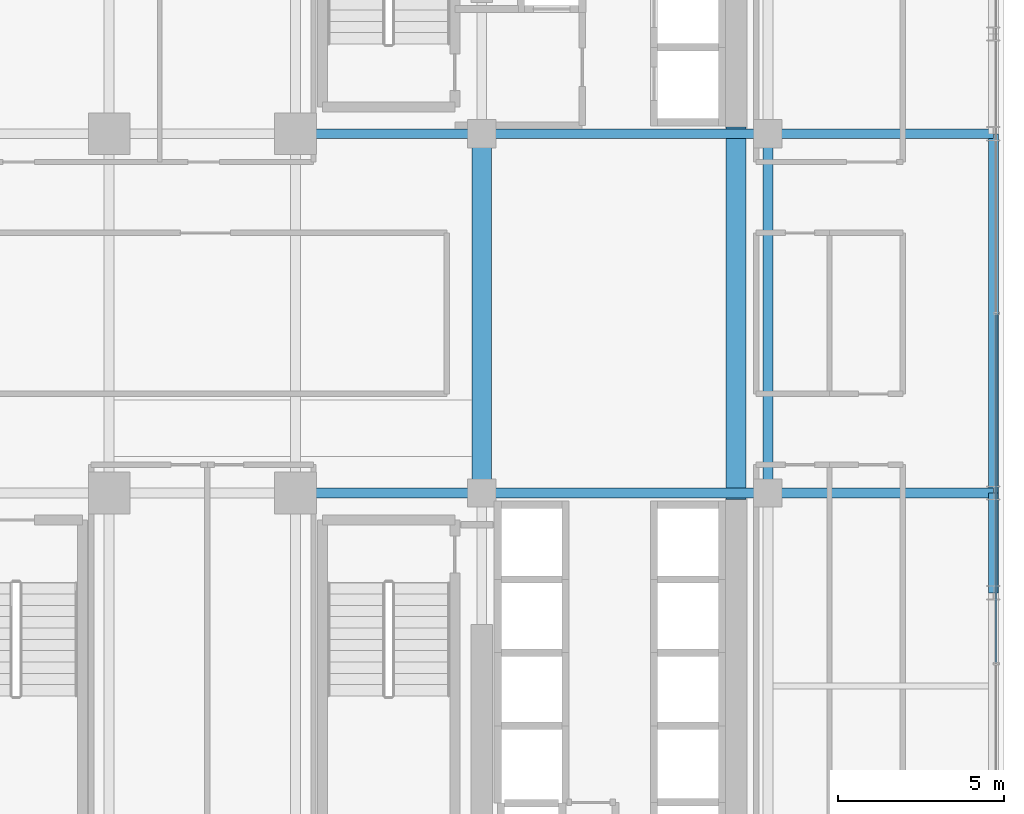
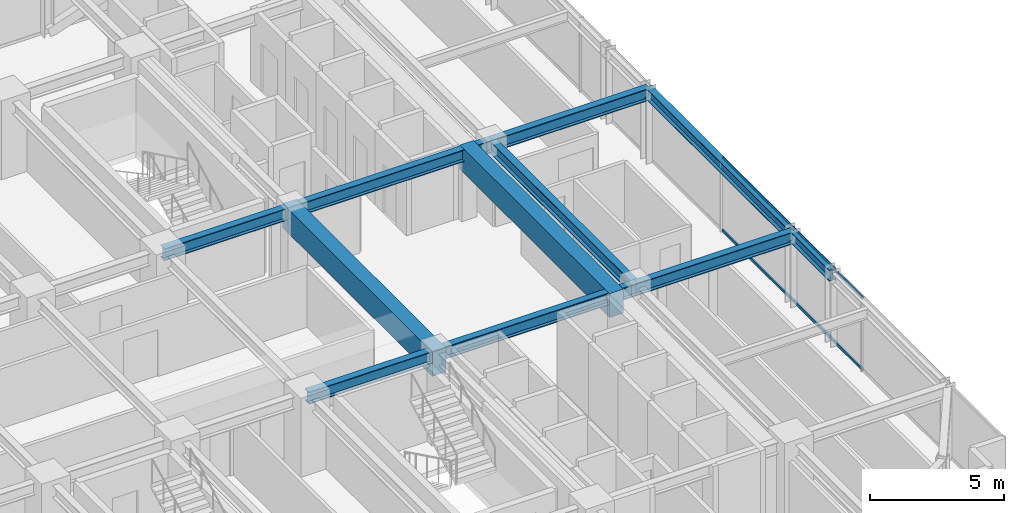
# One storey, part 14 of 39: 11 beams, 2 members, 1 element without a shape of its own.
"""IFC4 building model written with IfcOpenShell, lengths in metres."""

from ifc_helpers import new_model, si_unit, direction, frame, origin, origin_2d, place, context, subcontext, project, spatial, rectangle, hollow_rectangle, i_section, extrude, source, transform, mapped, material, material_profile, profile_set, type_object, element, aggregate, save


model = new_model("IFC4")

# Units and contexts
model_context = context("Model", 3, precision=1e-05, world=origin(), true_north=direction((0.0, 1.0)))
body_context = subcontext(model_context, "Body", "Model", "MODEL_VIEW")
ifc_project = project(units=[si_unit("LENGTHUNIT", "METRE"), si_unit("AREAUNIT", "SQUARE_METRE"), si_unit("VOLUMEUNIT", "CUBIC_METRE"), si_unit("PLANEANGLEUNIT", "RADIAN"), si_unit("MASSUNIT", "GRAM", prefix="KILO")], contexts=[model_context])

# Site, building, storey
site_placement = place(None, origin())
site = spatial("IfcSite", under=ifc_project, at=site_placement, CompositionType="ELEMENT")
building_placement = place(site_placement, origin())
building = spatial("IfcBuilding", under=site, at=building_placement, Name="Nahalor Promenade Grand Hotel", CompositionType="ELEMENT")
storey_placement = place(building_placement, frame((0.0, 0.0, 135.75)))
storey = spatial("IfcBuildingStorey", under=building, at=storey_placement, Name="L34", CompositionType="ELEMENT", Elevation=135.75)

# Beams
ifc_material_1 = material(Name="Concrete B-60 (C50/60)", Category="concrete")
ifc_material_profile_1 = material_profile(ifc_material_1, rectangle(XDim=0.6, YDim=1.1, at=origin_2d()), Name="RC 600x1100")
ifc_profile_set_1 = profile_set([ifc_material_profile_1], Name="Concrete B-60 (C50/60)")
beam_type_1 = type_object("IfcBeamType", Name="Beam-Lintel-RC1100", PredefinedType="LINTEL", material=ifc_profile_set_1)
shared_shape_1 = source(origin(), body_context, "Body", "SweptSolid", [
    extrude(rectangle(XDim=0.6, YDim=1.1, at=origin_2d()), origin(), (0.0, 0.0, 1.0), 11.2001953125),
])
for number, where, z_axis, x_axis, name in (
    (1, (8.39990234375, -5.60009765625, 2.830078125), (0.0, 1.0, 0.0), (-1.0, 0.0, 0.0), "BM-L34-LINT-W"),
    (2, (16.050048828125, -5.60009765625, 2.830078125), (0.0, 1.0, 0.0), (-1.0, 0.0, 0.0), "BM-L34-LINT-E"),
):
    element("IfcBeam", number, at=place(storey_placement, frame(where, z_axis=z_axis, x_axis=x_axis)), inside=storey, type_object=beam_type_1, Name=name, PredefinedType="LINTEL", context=body_context, shape_type="MappedRepresentation", body=[
        mapped(shared_shape_1, transform((0.0, 0.0, 0.0), scale=1.0)),
    ])
ifc_material_2 = material(Name="Steel S355JR", Category="steel")
ifc_material_profile_2 = material_profile(ifc_material_2, i_section(OverallWidth=0.3, OverallDepth=0.5, WebThickness=0.0145, FlangeThickness=0.028, at=origin_2d()), Name="HEB 500")
ifc_profile_set_2 = profile_set([ifc_material_profile_2], Name="Steel S355JR")
beam_type_2 = type_object("IfcBeamType", Name="Beam-Spandrel-HEB500", PredefinedType="SPANDREL", material=ifc_profile_set_2)
shared_shape_2 = source(origin(), body_context, "Body", "SweptSolid", [
    extrude(i_section(OverallWidth=0.3, OverallDepth=0.5, WebThickness=0.0145, FlangeThickness=0.028, at=origin_2d()), origin(), (0.0, 0.0, 1.0), 3.0),
])
beam_1_placement = place(storey_placement, frame((23.780029296875, -8.39990234375, 3.1298828125), z_axis=(0.0, 1.0, 0.0), x_axis=(-1.0, 0.0, 0.0)))
element("IfcBeam", 3, at=beam_1_placement, inside=storey, type_object=beam_type_2, Name="BM-L34-SP-E-1", PredefinedType="SPANDREL", context=body_context, shape_type="MappedRepresentation", body=[
    mapped(shared_shape_2, transform((0.0, 0.0, 0.0), scale=1.0)),
])
shared_shape_3 = source(origin(), body_context, "Body", "SweptSolid", [
    extrude(i_section(OverallWidth=0.3, OverallDepth=0.5, WebThickness=0.0145, FlangeThickness=0.028, at=origin_2d()), origin(), (0.0, 0.0, 1.0), 10.7998046875),
])
beam_2_placement = place(storey_placement, frame((23.780029296875, -5.39990234375, 3.1298828125), z_axis=(0.0, 1.0, 0.0), x_axis=(-1.0, 0.0, 0.0)))
element("IfcBeam", 4, at=beam_2_placement, inside=storey, type_object=beam_type_2, Name="BM-L34-SP-E-2", PredefinedType="SPANDREL", context=body_context, shape_type="MappedRepresentation", body=[
    mapped(shared_shape_3, transform((0.0, 0.0, 0.0), scale=1.0)),
])
ifc_material_profile_3 = material_profile(ifc_material_2, i_section(OverallWidth=0.3, OverallDepth=0.55, WebThickness=0.015, FlangeThickness=0.029, at=origin_2d()), Name="HEB 550")
ifc_profile_set_3 = profile_set([ifc_material_profile_3], Name="Steel S355JR")
beam_type_3 = type_object("IfcBeamType", Name="Beam-Girder-HEB550", PredefinedType="BEAM", material=ifc_profile_set_3)
shared_shape_4 = source(origin(), body_context, "Body", "SweptSolid", [
    extrude(i_section(OverallWidth=0.3, OverallDepth=0.55, WebThickness=0.015, FlangeThickness=0.029, at=origin_2d()), origin(), (0.0, 0.0, 1.0), 6.780029296875),
])
for number, where, z_axis, x_axis, name in (
    (5, (17.0, -5.39990234375, 3.10498046875), (1.0, 0.0, 0.0), (0.0, 1.0, 0.0), "BM-L34-GX-1-6"),
    (6, (17.0, 5.39990234375, 3.10498046875), (1.0, 0.0, 0.0), (0.0, 1.0, 0.0), "BM-L34-GX-2-6"),
):
    element("IfcBeam", number, at=place(storey_placement, frame(where, z_axis=z_axis, x_axis=x_axis)), inside=storey, type_object=beam_type_3, Name=name, PredefinedType="BEAM", context=body_context, shape_type="MappedRepresentation", body=[
        mapped(shared_shape_4, transform((0.0, 0.0, 0.0), scale=1.0)),
    ])
shared_shape_5 = source(origin(), body_context, "Body", "SweptSolid", [
    extrude(i_section(OverallWidth=0.3, OverallDepth=0.55, WebThickness=0.015, FlangeThickness=0.029, at=origin_2d()), origin(), (0.0, 0.0, 1.0), 8.60009765625),
])
for number, where, z_axis, x_axis, name in (
    (7, (8.39990234375, -5.39990234375, 3.10498046875), (1.0, 0.0, 0.0), (0.0, 1.0, 0.0), "BM-L34-GX-1-5"),
    (8, (8.39990234375, 5.39990234375, 3.10498046875), (1.0, 0.0, 0.0), (0.0, 1.0, 0.0), "BM-L34-GX-2-5"),
):
    element("IfcBeam", number, at=place(storey_placement, frame(where, z_axis=z_axis, x_axis=x_axis)), inside=storey, type_object=beam_type_3, Name=name, PredefinedType="BEAM", context=body_context, shape_type="MappedRepresentation", body=[
        mapped(shared_shape_5, transform((0.0, 0.0, 0.0), scale=1.0)),
    ])
shared_shape_6 = source(origin(), body_context, "Body", "SweptSolid", [
    extrude(i_section(OverallWidth=0.3, OverallDepth=0.55, WebThickness=0.015, FlangeThickness=0.029, at=origin_2d()), origin(), (0.0, 0.0, 1.0), 5.599853515625),
])
for number, where, z_axis, x_axis, name in (
    (9, (2.800048828125, -5.39990234375, 3.10498046875), (1.0, 0.0, 0.0), (0.0, 1.0, 0.0), "BM-L34-GX-1-4"),
    (10, (2.800048828125, 5.39990234375, 3.10498046875), (1.0, 0.0, 0.0), (0.0, 1.0, 0.0), "BM-L34-GX-2-4"),
):
    element("IfcBeam", number, at=place(storey_placement, frame(where, z_axis=z_axis, x_axis=x_axis)), inside=storey, type_object=beam_type_3, Name=name, PredefinedType="BEAM", context=body_context, shape_type="MappedRepresentation", body=[
        mapped(shared_shape_6, transform((0.0, 0.0, 0.0), scale=1.0)),
    ])
shared_shape_7 = source(origin(), body_context, "Body", "SweptSolid", [
    extrude(i_section(OverallWidth=0.3, OverallDepth=0.55, WebThickness=0.015, FlangeThickness=0.029, at=origin_2d()), origin(), (0.0, 0.0, 1.0), 10.7998046875),
])
beam_3_placement = place(storey_placement, frame((17.0, -5.39990234375, 3.10498046875), z_axis=(0.0, 1.0, 0.0), x_axis=(-1.0, 0.0, 0.0)))
element("IfcBeam", 11, at=beam_3_placement, inside=storey, type_object=beam_type_3, Name="BM-L34-GY-5-2", PredefinedType="BEAM", context=body_context, shape_type="MappedRepresentation", body=[
    mapped(shared_shape_7, transform((0.0, 0.0, 0.0), scale=1.0)),
])

# Curtain wall, members
ifc_material_3 = material(Name="Anodised Bronze Aluminium EN AW-6063 T6", Category="aluminium")
curtain_wall_type = type_object("IfcCurtainWallType", Name="CW2 Typical Hotel Flush Bronze Unitised Curtain Wall", PredefinedType="USERDEFINED", material=ifc_material_3)
curtain_wall_placement = place(storey_placement, origin())
curtain_wall = element("IfcCurtainWall", 12, at=curtain_wall_placement, inside=storey, type_object=curtain_wall_type, Name="L34 Curtain Wall CW-L34-E-1", ObjectType="UNITISED_CURTAIN_WALL", PredefinedType="USERDEFINED")
ifc_material_profile_4 = material_profile(ifc_material_3, hollow_rectangle(XDim=0.065, YDim=0.13, WallThickness=0.004, at=origin_2d()), Name="CWT 65x130x4")
ifc_profile_set_4 = profile_set([ifc_material_profile_4], Name="Anodised Bronze Aluminium EN AW-6063 T6")
member_type = type_object("IfcMemberType", Name="CWT2 Typical Bronze Transom 65x130", PredefinedType="USERDEFINED", material=ifc_profile_set_4)
shared_shape_8 = source(origin(), body_context, "Body", "SweptSolid", [
    extrude(hollow_rectangle(XDim=0.065, YDim=0.13, WallThickness=0.004, at=origin_2d()), origin(), (0.0, 0.0, 1.0), 10.465087890625),
])
member_1_placement = place(storey_placement, frame((23.860107421875, -10.49755859375, 0.06494140625), z_axis=(0.0, 1.0, 0.0), x_axis=(-1.0, 0.0, 0.0)))
member_1 = element("IfcMember", 13, at=member_1_placement, type_object=member_type, Name="CW-L34-E-1 Transom 1-0", ObjectType="TRANSOM", PredefinedType="USERDEFINED", context=body_context, shape_type="MappedRepresentation", body=[
    mapped(shared_shape_8, transform((0.0, 0.0, 0.0), scale=1.0)),
])
member_2_placement = place(storey_placement, frame((23.860107421875, -10.49755859375, 3.31494140625), z_axis=(0.0, 1.0, 0.0), x_axis=(-1.0, 0.0, 0.0)))
member_2 = element("IfcMember", 14, at=member_2_placement, type_object=member_type, Name="CW-L34-E-1 Transom 1-1", ObjectType="TRANSOM", PredefinedType="USERDEFINED", context=body_context, shape_type="MappedRepresentation", body=[
    mapped(shared_shape_8, transform((0.0, 0.0, 0.0), scale=1.0)),
])
aggregate(curtain_wall, [member_1, member_2])

save(model, "model.ifc")
